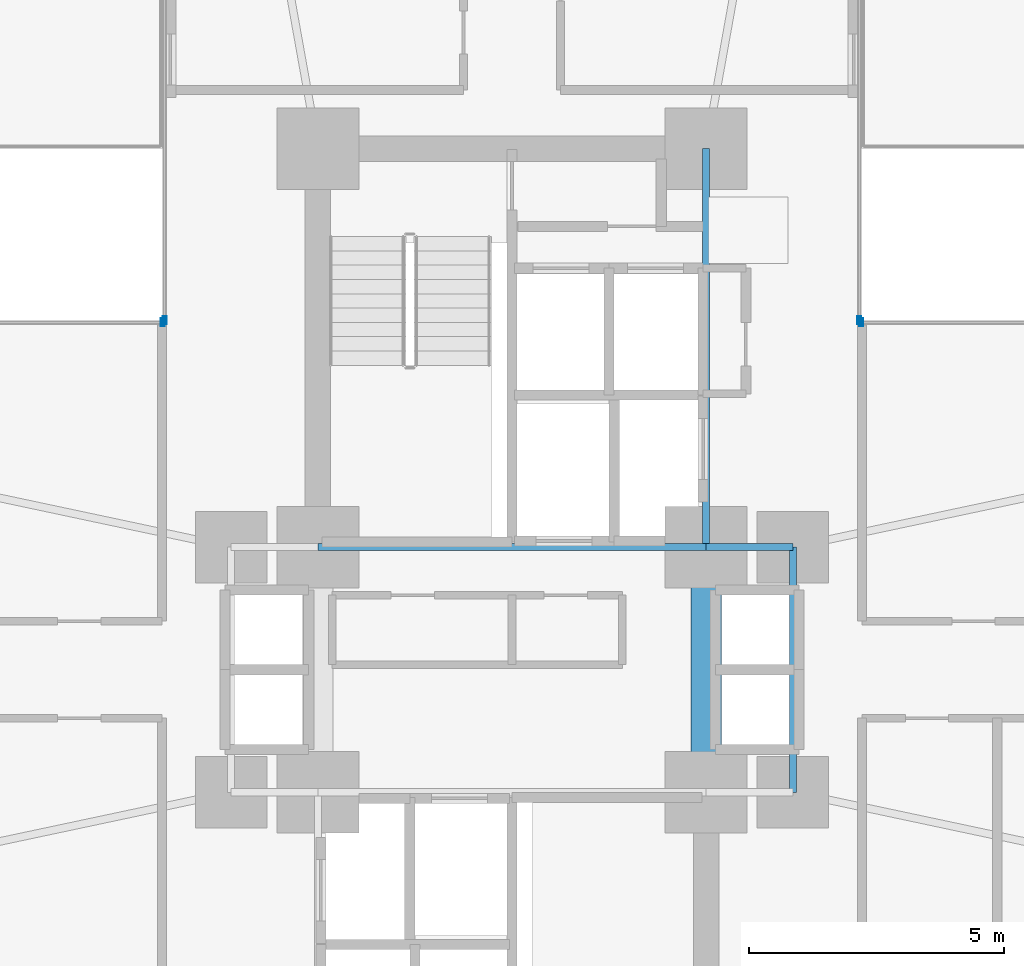
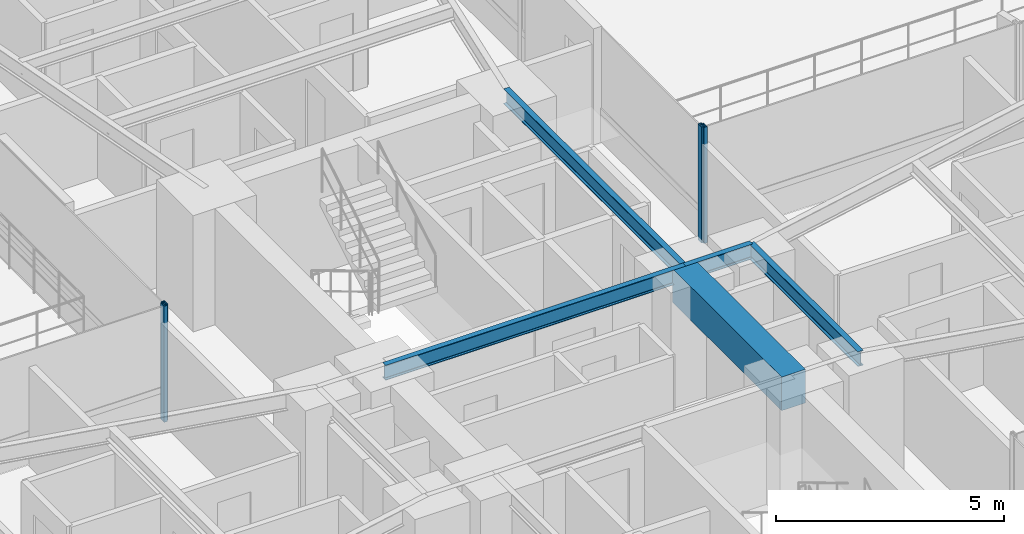
# One storey, part 11 of 27: 5 beams, 4 members, 4 elements without a shape of their own.
"""IFC4 building model written with IfcOpenShell, lengths in metres."""

from ifc_helpers import new_model, si_unit, direction, frame, origin, origin_2d, place, context, subcontext, project, spatial, rectangle, hollow_rectangle, i_section, extrude, source, transform, mapped, material, material_profile, profile_set, type_object, element, aggregate, save


model = new_model("IFC4")

# Units and contexts
model_context = context("Model", 3, precision=1e-05, world=origin(), true_north=direction((0.0, 1.0)))
body_context = subcontext(model_context, "Body", "Model", "MODEL_VIEW")
ifc_project = project(units=[si_unit("LENGTHUNIT", "METRE"), si_unit("AREAUNIT", "SQUARE_METRE"), si_unit("VOLUMEUNIT", "CUBIC_METRE"), si_unit("PLANEANGLEUNIT", "RADIAN"), si_unit("MASSUNIT", "GRAM", prefix="KILO")], contexts=[model_context])

# Site, building, storey
site_placement = place(None, origin())
site = spatial("IfcSite", under=ifc_project, at=site_placement, CompositionType="ELEMENT")
building_placement = place(site_placement, origin())
building = spatial("IfcBuilding", under=site, at=building_placement, Name="Sahyath Konkavel Grand Hotel", CompositionType="ELEMENT")
storey_placement = place(building_placement, frame((0.0, 0.0, 23.10009765625)))
storey = spatial("IfcBuildingStorey", under=building, at=storey_placement, Name="L05", CompositionType="ELEMENT", Elevation=23.10009765625)

# Beams
ifc_material_1 = material(Name="Concrete C70/85", Category="concrete")
ifc_material_profile_1 = material_profile(ifc_material_1, rectangle(XDim=0.60009765625, YDim=0.89990234375, at=origin_2d()), Name="RC 600x900")
ifc_profile_set_1 = profile_set([ifc_material_profile_1], Name="Concrete C70/85")
beam_type_1 = type_object("IfcBeamType", Name="BM-CB600x900", PredefinedType="LINTEL", material=ifc_profile_set_1)
shared_shape_1 = source(origin(), body_context, "Body", "SweptSolid", [
    extrude(rectangle(XDim=0.60009765625, YDim=0.89990234375, at=origin_2d()), origin(), (0.0, 0.0, 1.0), 4.7998046875),
])
beam_1_placement = place(storey_placement, frame((3.800048828125, -2.39990234375, 2.659912109375), z_axis=(0.0, 1.0, 0.0), x_axis=(-1.0, 0.0, 0.0)))
element("IfcBeam", 1, at=beam_1_placement, inside=storey, type_object=beam_type_1, Name="L05 Split-Core Coupling Beam East", PredefinedType="LINTEL", context=body_context, shape_type="MappedRepresentation", body=[
    mapped(shared_shape_1, transform((0.0, 0.0, 0.0), scale=1.0)),
])
ifc_material_2 = material(Name="Steel E350", Category="steel")
ifc_material_profile_2 = material_profile(ifc_material_2, i_section(OverallWidth=0.139892578125, OverallDepth=0.39990234375, WebThickness=0.0087890625, FlangeThickness=0.01611328125, FilletRadius=0.013916015625, at=origin_2d()), Name="ISMB 400")
ifc_profile_set_2 = profile_set([ifc_material_profile_2], Name="Steel E350")
beam_type_2 = type_object("IfcBeamType", Name="BM-ISMB400", PredefinedType="BEAM", material=ifc_profile_set_2)
shared_shape_2 = source(origin(), body_context, "Body", "SweptSolid", [
    extrude(i_section(OverallWidth=0.139892578125, OverallDepth=0.39990234375, WebThickness=0.0087890625, FlangeThickness=0.01611328125, FilletRadius=0.013916015625, at=origin_2d()), origin(), (0.0, 0.0, 1.0), 7.60009765625),
])
beam_2_placement = place(storey_placement, frame((-3.800048828125, 2.39990234375, 2.909912109375), z_axis=(1.0, 0.0, 0.0), x_axis=(0.0, 1.0, 0.0)))
element("IfcBeam", 2, at=beam_2_placement, inside=storey, type_object=beam_type_2, Name="str:bm:L05:NC-S", PredefinedType="BEAM", context=body_context, shape_type="MappedRepresentation", body=[
    mapped(shared_shape_2, transform((0.0, 0.0, 0.0), scale=1.0)),
])
shared_shape_3 = source(origin(), body_context, "Body", "SweptSolid", [
    extrude(i_section(OverallWidth=0.139892578125, OverallDepth=0.39990234375, WebThickness=0.0087890625, FlangeThickness=0.01611328125, FilletRadius=0.013916015625, at=origin_2d()), origin(), (0.0, 0.0, 1.0), 7.800048828125),
])
beam_3_placement = place(storey_placement, frame((3.800048828125, 2.39990234375, 2.909912109375), z_axis=(0.0, 1.0, 0.0), x_axis=(-1.0, 0.0, 0.0)))
element("IfcBeam", 3, at=beam_3_placement, inside=storey, type_object=beam_type_2, Name="str:bm:L05:NC-E", PredefinedType="BEAM", context=body_context, shape_type="MappedRepresentation", body=[
    mapped(shared_shape_3, transform((0.0, 0.0, 0.0), scale=1.0)),
])
shared_shape_4 = source(origin(), body_context, "Body", "SweptSolid", [
    extrude(i_section(OverallWidth=0.139892578125, OverallDepth=0.39990234375, WebThickness=0.0087890625, FlangeThickness=0.01611328125, FilletRadius=0.013916015625, at=origin_2d()), origin(), (0.0, 0.0, 1.0), 1.699951171875),
])
beam_4_placement = place(storey_placement, frame((3.800048828125, 2.39990234375, 2.909912109375), z_axis=(1.0, 0.0, 0.0), x_axis=(0.0, 1.0, 0.0)))
element("IfcBeam", 4, at=beam_4_placement, inside=storey, type_object=beam_type_2, Name="str:bm:L05:HB-NE", PredefinedType="BEAM", context=body_context, shape_type="MappedRepresentation", body=[
    mapped(shared_shape_4, transform((0.0, 0.0, 0.0), scale=1.0)),
])
shared_shape_5 = source(origin(), body_context, "Body", "SweptSolid", [
    extrude(i_section(OverallWidth=0.139892578125, OverallDepth=0.39990234375, WebThickness=0.0087890625, FlangeThickness=0.01611328125, FilletRadius=0.013916015625, at=origin_2d()), origin(), (0.0, 0.0, 1.0), 4.7998046875),
])
beam_5_placement = place(storey_placement, frame((5.5, -2.39990234375, 2.909912109375), z_axis=(0.0, 1.0, 0.0), x_axis=(-1.0, 0.0, 0.0)))
element("IfcBeam", 5, at=beam_5_placement, inside=storey, type_object=beam_type_2, Name="str:bm:L05:HB-E", PredefinedType="BEAM", context=body_context, shape_type="MappedRepresentation", body=[
    mapped(shared_shape_5, transform((0.0, 0.0, 0.0), scale=1.0)),
])

# Curtain wall, member
ifc_material_3 = material(Name="Anodised Bronze Aluminium & Low-E Glazing", Category="aluminium")
curtain_wall_type = type_object("IfcCurtainWallType", Name="CW-ZONE1", PredefinedType="NOTDEFINED", material=ifc_material_3)
curtain_wall_1_placement = place(storey_placement, origin())
curtain_wall_1 = element("IfcCurtainWall", 6, at=curtain_wall_1_placement, inside=storey, type_object=curtain_wall_type, Name="L05 Unitised Curtain Wall F7", PredefinedType="NOTDEFINED")
ifc_material_4 = material(Name="Anodised Bronze Aluminium", Category="aluminium")
ifc_material_profile_3 = material_profile(ifc_material_4, hollow_rectangle(XDim=0.080078125, YDim=0.159912109375, WallThickness=0.006103515625, at=origin_2d()), Name="RHS 160x80x6")
ifc_profile_set_3 = profile_set([ifc_material_profile_3], Name="Anodised Bronze Aluminium")
member_type = type_object("IfcMemberType", Name="CW-MUL-160", PredefinedType="MULLION", material=ifc_profile_set_3)
shared_shape_6 = source(origin(), body_context, "Body", "SweptSolid", [
    extrude(hollow_rectangle(XDim=0.080078125, YDim=0.159912109375, WallThickness=0.006103515625, at=origin_2d()), origin(), (0.0, 0.0, 1.0), 3.10986328125),
])
member_1_placement = place(storey_placement, frame((6.840087890625, 6.800048828125, 0.0), z_axis=(0.0, 0.0, 1.0), x_axis=(1.0, 0.0, 0.0)))
member_1 = element("IfcMember", 7, at=member_1_placement, type_object=member_type, Name="L05 Curtain Wall Mullion F7-2", PredefinedType="MULLION", context=body_context, shape_type="MappedRepresentation", body=[
    mapped(shared_shape_6, transform((0.0, 0.0, 0.0), scale=1.0)),
])
aggregate(curtain_wall_1, [member_1])

curtain_wall_2_placement = place(storey_placement, origin())
curtain_wall_2 = element("IfcCurtainWall", 8, at=curtain_wall_2_placement, inside=storey, type_object=curtain_wall_type, Name="L05 Unitised Curtain Wall F8", PredefinedType="NOTDEFINED")
member_2_placement = place(storey_placement, frame((6.800048828125, 6.840087890625, 0.0), z_axis=(0.0, 0.0, 1.0), x_axis=(1.0, 0.0, 0.0)))
member_2 = element("IfcMember", 9, at=member_2_placement, type_object=member_type, Name="L05 Curtain Wall Mullion F8-0", PredefinedType="MULLION", context=body_context, shape_type="MappedRepresentation", body=[
    mapped(shared_shape_6, transform((0.0, 0.0, 0.0), scale=1.0)),
])
aggregate(curtain_wall_2, [member_2])

curtain_wall_3_placement = place(storey_placement, origin())
curtain_wall_3 = element("IfcCurtainWall", 10, at=curtain_wall_3_placement, inside=storey, type_object=curtain_wall_type, Name="L05 Unitised Curtain Wall F15", PredefinedType="NOTDEFINED")
member_3_placement = place(storey_placement, frame((-6.800048828125, 6.840087890625, 0.0), z_axis=(0.0, 0.0, 1.0), x_axis=(1.0, 0.0, 0.0)))
member_3 = element("IfcMember", 11, at=member_3_placement, type_object=member_type, Name="L05 Curtain Wall Mullion F15-2", PredefinedType="MULLION", context=body_context, shape_type="MappedRepresentation", body=[
    mapped(shared_shape_6, transform((0.0, 0.0, 0.0), scale=1.0)),
])
aggregate(curtain_wall_3, [member_3])

curtain_wall_4_placement = place(storey_placement, origin())
curtain_wall_4 = element("IfcCurtainWall", 12, at=curtain_wall_4_placement, inside=storey, type_object=curtain_wall_type, Name="L05 Unitised Curtain Wall F16", PredefinedType="NOTDEFINED")
member_4_placement = place(storey_placement, frame((-6.840087890625, 6.800048828125, 0.0), z_axis=(0.0, 0.0, 1.0), x_axis=(1.0, 0.0, 0.0)))
member_4 = element("IfcMember", 13, at=member_4_placement, type_object=member_type, Name="L05 Curtain Wall Mullion F16-0", PredefinedType="MULLION", context=body_context, shape_type="MappedRepresentation", body=[
    mapped(shared_shape_6, transform((0.0, 0.0, 0.0), scale=1.0)),
])
aggregate(curtain_wall_4, [member_4])

save(model, "model.ifc")
